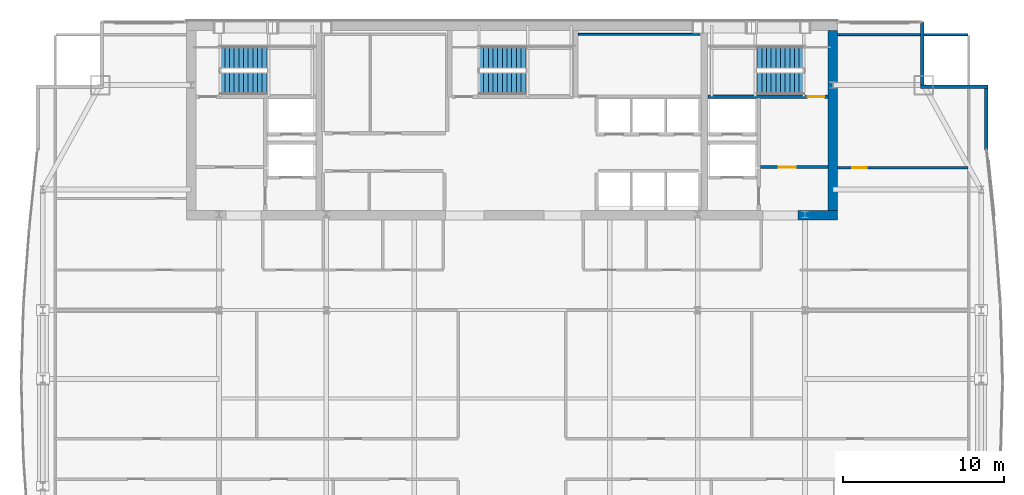
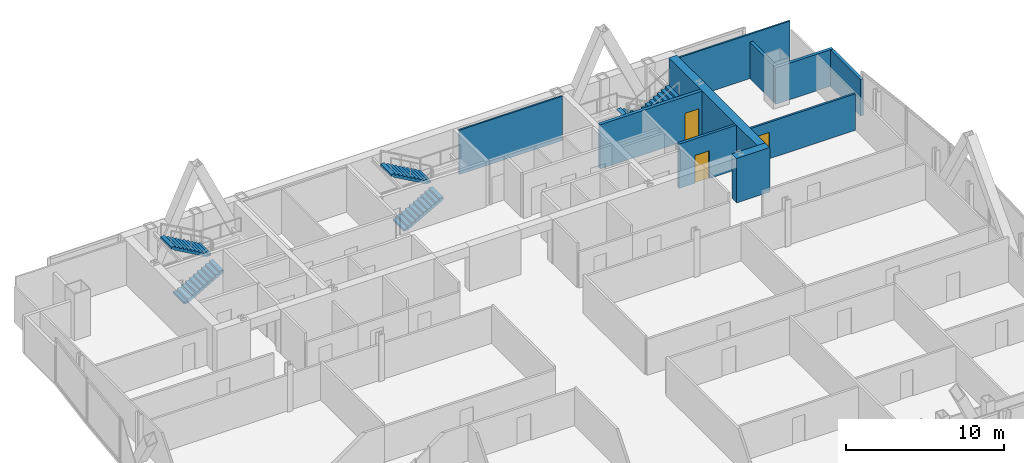
# One storey, part 30 of 32: 10 walls, 6 stair flights, 3 doors, 3 openings, 3 elements without a shape of their own.
"""IFC4 building model written with IfcOpenShell, lengths in metres."""

import ifcopenshell
import ifcopenshell.guid

model = None  # the IFC model being written
_history = None  # IfcOwnerHistory: only IFC2X3 demands one
_inside = {}  # id of a spatial element -> (the spatial element, [elements in it])
_under = {}  # id of a project, library or spatial element -> (it, [spatial elements below it])
_declared = {}  # id of a project -> (the project, [libraries it declares])
_typed = {}  # id of a type object -> (the type object, [elements of that type])
_made_of = {}  # id of a material, layer set ... -> (it, [elements and type objects made of it])


def new_model(schema):
    """Start an empty IFC model of exactly this schema.

    Asked for "IFC4X3", IfcOpenShell would pick the latest addendum, in which some entities
    have other attributes; the version numbers below select the first issue.
    IFC2X3 requires an IfcOwnerHistory on every rooted entity: one is made here for all.
    """
    global model, _history
    if schema == "IFC4X3":
        model = ifcopenshell.file(schema_version=(4, 3, 0, 0))
    else:
        model = ifcopenshell.file(schema=schema)
    _inside.clear()
    _under.clear()
    _declared.clear()
    _typed.clear()
    _made_of.clear()
    _history = None
    if model.schema == "IFC2X3":
        org = make("IfcOrganization", Name="unknown")
        user = make(
            "IfcPersonAndOrganization",
            ThePerson=make("IfcPerson", FamilyName="unknown"),
            TheOrganization=org,
        )
        app = make(
            "IfcApplication",
            ApplicationDeveloper=org,
            Version="unknown",
            ApplicationFullName="unknown",
            ApplicationIdentifier="unknown",
        )
        _history = make(
            "IfcOwnerHistory",
            OwningUser=user,
            OwningApplication=app,
            ChangeAction="ADDED",
            CreationDate=0,
        )
    return model


def make(cls, **values):
    """One entity of the class cls with the attributes given. An attribute that is None is left unset."""
    return model.create_entity(
        cls, **{name: value for name, value in values.items() if value is not None}
    )


def rooted(cls, **values):
    """An entity with a GlobalId (a new one), such as an element, a storey or a relation."""
    return make(cls, GlobalId=ifcopenshell.guid.new(), OwnerHistory=_history, **values)


def si_unit(unit_type, name, prefix=None):
    """IfcSIUnit, for example si_unit("LENGTHUNIT", "METRE", prefix="MILLI")."""
    return make("IfcSIUnit", UnitType=unit_type, Prefix=prefix, Name=name)


def assignment(units):
    """IfcUnitAssignment: the units of a project."""
    return None if units is None else make("IfcUnitAssignment", Units=units)


def point(xyz):
    """IfcCartesianPoint."""
    return None if xyz is None else make("IfcCartesianPoint", Coordinates=xyz)


def direction(xyz):
    """IfcDirection."""
    return None if xyz is None else make("IfcDirection", DirectionRatios=xyz)


def frame(location, z_axis=None, x_axis=None):
    """IfcAxis2Placement3D, a coordinate frame: its origin and axes. An axis left out is left unset."""
    return make(
        "IfcAxis2Placement3D",
        Location=point(location),
        Axis=direction(z_axis),
        RefDirection=direction(x_axis),
    )


def frame_2d(location, x_axis=None):
    """IfcAxis2Placement2D, a coordinate frame in the plane: its origin and x axis."""
    return make(
        "IfcAxis2Placement2D", Location=point(location), RefDirection=direction(x_axis)
    )


def origin():
    """The frame at (0, 0, 0) with its axes left unset."""
    return frame((0.0, 0.0, 0.0))


def place(relative_to, where):
    """IfcLocalPlacement: puts the frame where relative to a parent placement (None: the world)."""
    return make(
        "IfcLocalPlacement", PlacementRelTo=relative_to, RelativePlacement=where
    )


def context(
    kind, dimensions, precision=None, world=None, true_north=None, identifier=None
):
    """IfcGeometricRepresentationContext, for example the 3D "Model" context."""
    return make(
        "IfcGeometricRepresentationContext",
        ContextIdentifier=identifier,
        ContextType=kind,
        CoordinateSpaceDimension=dimensions,
        Precision=precision,
        WorldCoordinateSystem=world,
        TrueNorth=true_north,
    )


def subcontext(parent, identifier, kind, view, scale=None):
    """IfcGeometricRepresentationSubContext, for example "Body" below "Model"."""
    return make(
        "IfcGeometricRepresentationSubContext",
        ContextIdentifier=identifier,
        ContextType=kind,
        ParentContext=parent,
        TargetScale=scale,
        TargetView=view,
    )


def project(units=None, contexts=None):
    """IfcProject with its units and contexts."""
    return rooted(
        "IfcProject",
        Name="project",
        RepresentationContexts=contexts,
        UnitsInContext=assignment(units),
    )


def spatial(cls, under=None, at=None, **own):
    """A site, building, storey or space (cls), placed at a placement, below another one or the project."""
    s = rooted(cls, ObjectPlacement=at, **own)
    if under is not None:
        _under.setdefault(under.id(), (under, []))[1].append(s)
    return s


def polyline(points):
    """IfcPolyline through the points."""
    return make("IfcPolyline", Points=[point(p) for p in points])


def profile(cls, at=None, kind="AREA", **sizes):
    """A parametric profile (cls). Its sizes go by their IFC names, for example OverallWidth=200.0."""
    return make(cls, ProfileType=kind, Position=at, **sizes)


def rectangle(**sizes):
    """IfcRectangleProfileDef."""
    return profile("IfcRectangleProfileDef", **sizes)


def outline(outer, holes=None, kind="AREA"):
    """IfcArbitraryClosedProfileDef: a profile drawn as a closed curve; with holes, ...WithVoids."""
    if holes is None:
        return make("IfcArbitraryClosedProfileDef", ProfileType=kind, OuterCurve=outer)
    return make(
        "IfcArbitraryProfileDefWithVoids",
        ProfileType=kind,
        OuterCurve=outer,
        InnerCurves=holes,
    )


def extrude(swept, where, along, depth):
    """IfcExtrudedAreaSolid: the profile swept, set in the frame where, extruded along a direction by depth."""
    return make(
        "IfcExtrudedAreaSolid",
        SweptArea=swept,
        Position=where,
        ExtrudedDirection=direction(along),
        Depth=depth,
    )


def shape(context_of_items, identifier, shape_type, items):
    """IfcShapeRepresentation: the items that make up one representation, for example the "Body"."""
    return make(
        "IfcShapeRepresentation",
        ContextOfItems=context_of_items,
        RepresentationIdentifier=identifier,
        RepresentationType=shape_type,
        Items=items,
    )


def material(Name=None, Category=None):
    """IfcMaterial."""
    return make("IfcMaterial", Name=Name, Category=Category)


def layer(
    of_material, thickness, ventilated=None, Name=None, Category=None, Priority=None
):
    """IfcMaterialLayer: one layer of a wall or slab, of a material (None: an air gap)."""
    return make(
        "IfcMaterialLayer",
        Material=of_material,
        LayerThickness=thickness,
        IsVentilated=ventilated,
        Name=Name,
        Category=Category,
        Priority=Priority,
    )


def layer_set(layers, Name=None):
    """IfcMaterialLayerSet."""
    return make("IfcMaterialLayerSet", MaterialLayers=layers, LayerSetName=Name)


def made_of(thing, what):
    """Note that an element or type object is made of a material, layer set ...; save() writes the relation."""
    if what is not None:
        _made_of.setdefault(what.id(), (what, []))[1].append(thing)
    return thing


def type_object(cls, material=None, **own):
    """A type object (cls), such as IfcWallType, which elements share."""
    return made_of(rooted(cls, **own), material)


def element(
    cls,
    number,
    at=None,
    inside=None,
    cuts=None,
    type_object=None,
    material=None,
    context=None,
    identifier="Body",
    shape_type=None,
    held_by="IfcProductDefinitionShape",
    body=None,
    shapes=None,
    **own,
):
    """One element of the class cls, such as IfcWall. Its Tag is "e" and its number.

    at: its placement. inside: the storey or other place that contains it. cuts: it is an
    opening in that element (IfcRelVoidsElement). A single representation is given by context,
    identifier, shape_type and body (its items); several are given by shapes. held_by: the class
    of the entity that holds the representations. save() writes the other relations.
    """
    e = rooted(cls, Tag="e%d" % number, ObjectPlacement=at, **own)
    if body is not None:
        shapes = [shape(context, identifier, shape_type, body)]
    if shapes is not None:
        e.Representation = make(held_by, Representations=shapes)
    if inside is not None:
        _inside.setdefault(inside.id(), (inside, []))[1].append(e)
    if cuts is not None:
        rooted(
            "IfcRelVoidsElement", RelatingBuildingElement=cuts, RelatedOpeningElement=e
        )
    if type_object is not None:
        _typed.setdefault(type_object.id(), (type_object, []))[1].append(e)
    return made_of(e, material)


def fill(opening, filler):
    """IfcRelFillsElement: the door or window that sits in an opening."""
    return rooted(
        "IfcRelFillsElement",
        RelatingOpeningElement=opening,
        RelatedBuildingElement=filler,
    )


def aggregate(whole, parts):
    """IfcRelAggregates: a whole, such as a stair, and the parts it consists of."""
    return rooted("IfcRelAggregates", RelatingObject=whole, RelatedObjects=parts)


def save(model, path):
    """Write the relations noted so far, then the file.

    IfcRelAggregates (storeys below a building ...), IfcRelContainedInSpatialStructure (elements
    in a storey), IfcRelDefinesByType, IfcRelAssociatesMaterial and IfcRelDeclares: one each for
    every whole, place, type object, material and project.
    """
    for whole, parts in _under.values():
        aggregate(whole, parts)
    for where, things in _inside.values():
        rooted(
            "IfcRelContainedInSpatialStructure",
            RelatedElements=things,
            RelatingStructure=where,
        )
    for kind, things in _typed.values():
        rooted("IfcRelDefinesByType", RelatedObjects=things, RelatingType=kind)
    for what, things in _made_of.values():
        rooted("IfcRelAssociatesMaterial", RelatedObjects=things, RelatingMaterial=what)
    for by, libraries in _declared.values():
        rooted("IfcRelDeclares", RelatingContext=by, RelatedDefinitions=libraries)
    model.write(path)


model = new_model("IFC4")

# Units and contexts
model_context = context("Model", 3, precision=1e-05, world=origin(), true_north=direction((0.0, 1.0)))
body_context = subcontext(model_context, "Body", "Model", "MODEL_VIEW")
ifc_project = project(units=[si_unit("LENGTHUNIT", "METRE"), si_unit("AREAUNIT", "SQUARE_METRE"), si_unit("VOLUMEUNIT", "CUBIC_METRE"), si_unit("PLANEANGLEUNIT", "RADIAN"), si_unit("MASSUNIT", "GRAM", prefix="KILO")], contexts=[model_context])

# Site, building, storey
site_placement = place(None, origin())
site = spatial("IfcSite", under=ifc_project, at=site_placement, CompositionType="ELEMENT")
building_placement = place(site_placement, origin())
building = spatial("IfcBuilding", under=site, at=building_placement, Name="Khoronbel Lancet Exchange", CompositionType="ELEMENT")
storey_placement = place(building_placement, frame((0.0, 0.0, 231.800048828125)))
storey = spatial("IfcBuildingStorey", under=building, at=storey_placement, Name="L59", CompositionType="ELEMENT", Elevation=231.800048828125)

# Walls
ifc_material_1 = material(Name="Concrete C60/75", Category="concrete")
ifc_layer_1 = layer(ifc_material_1, 0.60009765625, Name="Concrete C60/75")
ifc_layer_set_1 = layer_set([ifc_layer_1], Name="Concrete C60/75")
wall_type_1 = type_object("IfcWallType", Name="WL-CW3", PredefinedType="SHEAR", material=ifc_layer_set_1)
wall_1_placement = place(storey_placement, frame((56.39990234375, 53.10009765625, 0.0), z_axis=(0.0, 0.0, 1.0), x_axis=(0.0, -1.0, 0.0)))
element("IfcWall", 1, at=wall_1_placement, inside=storey, type_object=wall_type_1, Name="Level L59 rear core east shear wall", PredefinedType="SHEAR", context=body_context, shape_type="SweptSolid", body=[
    extrude(rectangle(XDim=11.2001953125, YDim=0.60009765625, at=frame_2d((5.60009765625, 0.0))), origin(), (0.0, 0.0, 1.0), 3.43994140625),
])
wall_2_placement = place(storey_placement, frame((56.699951171875, 41.60009765625, 0.0), z_axis=(0.0, 0.0, 1.0), x_axis=(-1.0, 0.0, 0.0)))
element("IfcWall", 2, at=wall_2_placement, inside=storey, type_object=wall_type_1, Name="Level L59 rear core south shear wall pier P5", PredefinedType="SHEAR", context=body_context, shape_type="SweptSolid", body=[
    extrude(rectangle(XDim=2.449951171875, YDim=0.60009765625, at=frame_2d((1.22509765625, 0.0))), origin(), (0.0, 0.0, 1.0), 3.43994140625),
])
ifc_material_2 = material(Name="Precast concrete C40/50", Category="concrete")
ifc_layer_2 = layer(ifc_material_2, 0.25, Name="Precast concrete C40/50")
ifc_layer_set_2 = layer_set([ifc_layer_2], Name="Precast concrete C40/50")
wall_type_2 = type_object("IfcWallType", Name="WL-EXT250", PredefinedType="SOLIDWALL", material=ifc_layer_set_2)
wall_3_placement = place(storey_placement, frame((61.9599609375, 53.6298828125, 0.0), z_axis=(0.0, 0.0, 1.0), x_axis=(0.0, -1.0, 0.0)))
element("IfcWall", 3, at=wall_3_placement, inside=storey, type_object=wall_type_2, Name="Level L59 notched-corner limestone pier 14", PredefinedType="SOLIDWALL", context=body_context, shape_type="SweptSolid", body=[
    extrude(rectangle(XDim=3.909912109375, YDim=0.219970703125, at=frame_2d((1.955078125, 0.0))), origin(), (0.0, 0.0, 1.0), 2.829833984375),
])
wall_4_placement = place(storey_placement, frame((61.85009765625, 49.610107421875, 0.0), z_axis=(0.0, 0.0, 1.0), x_axis=(1.0, 0.0, 0.0)))
element("IfcWall", 4, at=wall_4_placement, inside=storey, type_object=wall_type_2, Name="Level L59 notched-corner limestone pier 15", PredefinedType="SOLIDWALL", context=body_context, shape_type="SweptSolid", body=[
    extrude(rectangle(XDim=4.219970703125, YDim=0.219970703125, at=frame_2d((2.10986328125, 0.0))), origin(), (0.0, 0.0, 1.0), 2.829833984375),
])
wall_5_placement = place(storey_placement, frame((65.9599609375, 49.5, 0.0), z_axis=(0.0, 0.0, 1.0), x_axis=(0.0, -1.0, 0.0)))
element("IfcWall", 5, at=wall_5_placement, inside=storey, type_object=wall_type_2, Name="Level L59 notched-corner limestone pier 16", PredefinedType="SOLIDWALL", context=body_context, shape_type="SweptSolid", body=[
    extrude(rectangle(XDim=3.82470703125, YDim=0.219970703125, at=frame_2d((1.912353515625, 0.0))), origin(), (0.0, 0.0, 1.0), 2.829833984375),
])

# Wall, opening, door
ifc_material_3 = material(Name="Acoustic Metal-Stud & Mineral-Wool Gypsum Partition 120 mm", Category="gypsum")
ifc_layer_3 = layer(ifc_material_3, 0.1201171875, Name="Acoustic Metal-Stud & Mineral-Wool Gypsum Partition 120 mm")
ifc_layer_set_3 = layer_set([ifc_layer_3], Name="Acoustic Metal-Stud & Mineral-Wool Gypsum Partition 120 mm")
wall_type_3 = type_object("IfcWallType", Name="WL-PRT120", PredefinedType="PARTITIONING", material=ifc_layer_set_3)
wall_6_placement = place(storey_placement, frame((56.699951171875, 44.56005859375, 0.0), z_axis=(0.0, 0.0, 1.0), x_axis=(1.0, 0.0, 0.0)))
wall_6 = element("IfcWall", 6, at=wall_6_placement, inside=storey, type_object=wall_type_3, Name="Level L59 interior partition PW-NE-H", PredefinedType="PARTITIONING", context=body_context, shape_type="SweptSolid", body=[
    extrude(rectangle(XDim=8.10498046875, YDim=0.14990234375, at=frame_2d((4.052490234375, 0.0))), origin(), (0.0, 0.0, 1.0), 2.829833984375),
])
opening_1_placement = place(wall_6_placement, frame((0.89990234375, 0.0, 0.0)))
opening_1 = element("IfcOpeningElement", 7, at=opening_1_placement, cuts=wall_6, Name="Opening D5", PredefinedType="OPENING", context=body_context, shape_type="SweptSolid", body=[
    extrude(rectangle(XDim=0.89990234375, YDim=2.050048828125, at=frame_2d((0.449951171875, 1.02490234375))), frame((0.0, 0.0849609375, 0.0), z_axis=(0.0, -1.0, 0.0), x_axis=(1.0, 0.0, 0.0)), (0.0, 0.0, 1.0), 0.169921875),
])
ifc_material_4 = material(Name="Acoustic Timber Pantry & Support Door", Category="wood")
door_type_1 = type_object("IfcDoorType", Name="DR-D5", OperationType="NOTDEFINED", PredefinedType="DOOR", material=ifc_material_4)
door_1_placement = place(opening_1_placement, origin())
door_1 = element("IfcDoor", 8, at=door_1_placement, inside=storey, type_object=door_type_1, Name="NE north room door L59-1", OperationType="SINGLE_SWING_LEFT", OverallHeight=2.050048828125, OverallWidth=0.89990234375, PredefinedType="DOOR", context=body_context, shape_type="SweptSolid", body=[
    extrude(rectangle(XDim=0.89990234375, YDim=2.050048828125, at=frame_2d((0.449951171875, 1.02490234375))), frame((0.0, 0.02490234375, 0.0), z_axis=(0.0, -1.0, 0.0), x_axis=(1.0, 0.0, 0.0)), (0.0, 0.0, 1.0), 0.050048828125),
])
fill(opening_1, door_1)

# Walls
wall_7_placement = place(storey_placement, frame((56.699951171875, 52.840087890625, 0.0), z_axis=(0.0, 0.0, 1.0), x_axis=(1.0, 0.0, 0.0)))
element("IfcWall", 9, at=wall_7_placement, inside=storey, type_object=wall_type_3, Name="Level L59 interior partition PW-LIN-NE", PredefinedType="PARTITIONING", context=body_context, shape_type="SweptSolid", body=[
    extrude(rectangle(XDim=8.10498046875, YDim=0.1201171875, at=frame_2d((4.052490234375, 0.0))), origin(), (0.0, 0.0, 1.0), 3.43994140625),
])
ifc_material_5 = material(Name="Fire-Rated Metal-Stud & Mineral-Wool Gypsum Partition 120 mm", Category="gypsum")
ifc_layer_4 = layer(ifc_material_5, 0.1201171875, Name="Fire-Rated Metal-Stud & Mineral-Wool Gypsum Partition 120 mm")
ifc_layer_set_4 = layer_set([ifc_layer_4], Name="Fire-Rated Metal-Stud & Mineral-Wool Gypsum Partition 120 mm")
wall_type_4 = type_object("IfcWallType", Name="WL-PRT120F", PredefinedType="PARTITIONING", material=ifc_layer_set_4)
wall_8_placement = place(storey_placement, frame((40.580078125, 52.860107421875, 0.0), z_axis=(0.0, 0.0, 1.0), x_axis=(1.0, 0.0, 0.0)))
element("IfcWall", 10, at=wall_8_placement, inside=storey, type_object=wall_type_4, Name="Level L59 interior partition CW-SUP-NE-N", PredefinedType="PARTITIONING", context=body_context, shape_type="SweptSolid", body=[
    extrude(rectangle(XDim=7.559814453125, YDim=0.1201171875, at=frame_2d((3.77978515625, 0.0))), origin(), (0.0, 0.0, 1.0), 3.43994140625),
])

# Wall, opening, door
ifc_material_6 = material(Name="Autoclaved Aerated Concrete Blockwork 200 mm", Category="masonry")
ifc_layer_5 = layer(ifc_material_6, 0.199951171875, Name="Autoclaved Aerated Concrete Blockwork 200 mm")
ifc_layer_set_5 = layer_set([ifc_layer_5], Name="Autoclaved Aerated Concrete Blockwork 200 mm")
wall_type_5 = type_object("IfcWallType", Name="WL-PRT200", PredefinedType="PARTITIONING", material=ifc_layer_set_5)
wall_9_placement = place(storey_placement, frame((51.89990234375, 44.60009765625, 0.0), z_axis=(0.0, 0.0, 1.0), x_axis=(1.0, 0.0, 0.0)))
wall_9 = element("IfcWall", 11, at=wall_9_placement, inside=storey, type_object=wall_type_5, Name="Level L59 interior partition CW-FFLE-S", PredefinedType="PARTITIONING", context=body_context, shape_type="SweptSolid", body=[
    extrude(rectangle(XDim=4.2001953125, YDim=0.199951171875, at=frame_2d((2.10009765625, 0.0))), origin(), (0.0, 0.0, 1.0), 3.43994140625),
])
opening_2_placement = place(wall_9_placement, frame((1.14990234375, 0.0, 0.0)))
opening_2 = element("IfcOpeningElement", 12, at=opening_2_placement, cuts=wall_9, Name="Opening FD1", PredefinedType="OPENING", context=body_context, shape_type="SweptSolid", body=[
    extrude(rectangle(XDim=1.050048828125, YDim=2.14990234375, at=frame_2d((0.52490234375, 1.074951171875))), frame((0.0, 0.10986328125, 0.0), z_axis=(0.0, -1.0, 0.0), x_axis=(1.0, 0.0, 0.0)), (0.0, 0.0, 1.0), 0.219970703125),
])
ifc_material_7 = material(Name="Fire-Rated Painted Steel Door Assembly", Category="steel")
door_type_2 = type_object("IfcDoorType", Name="DR-FD1", OperationType="NOTDEFINED", PredefinedType="DOOR", material=ifc_material_7)
door_2_placement = place(opening_2_placement, origin())
door_2 = element("IfcDoor", 13, at=door_2_placement, inside=storey, type_object=door_type_2, Name="East firefighting lobby FD90S door L59-1", OperationType="SINGLE_SWING_RIGHT", OverallHeight=2.14990234375, OverallWidth=1.050048828125, PredefinedType="DOOR", context=body_context, shape_type="SweptSolid", body=[
    extrude(rectangle(XDim=1.050048828125, YDim=2.14990234375, at=frame_2d((0.52490234375, 1.074951171875))), frame((0.0, 0.02490234375, 0.0), z_axis=(0.0, -1.0, 0.0), x_axis=(1.0, 0.0, 0.0)), (0.0, 0.0, 1.0), 0.050048828125),
])
fill(opening_2, door_2)

ifc_layer_6 = layer(ifc_material_1, 0.260009765625, Name="Concrete C60/75")
ifc_layer_set_6 = layer_set([ifc_layer_6], Name="Concrete C60/75")
wall_type_6 = type_object("IfcWallType", Name="WL-SW3", PredefinedType="SHEAR", material=ifc_layer_set_6)
wall_10_placement = place(storey_placement, frame((48.6298828125, 48.97998046875, 0.0), z_axis=(0.0, 0.0, 1.0), x_axis=(1.0, 0.0, 0.0)))
wall_10 = element("IfcWall", 14, at=wall_10_placement, inside=storey, type_object=wall_type_6, Name="Level L59 east stairwell structural south wall", PredefinedType="SHEAR", context=body_context, shape_type="SweptSolid", body=[
    extrude(rectangle(XDim=7.47021484375, YDim=0.239990234375, at=frame_2d((3.735107421875, 0.0))), origin(), (0.0, 0.0, 1.0), 3.43994140625),
])
opening_3_placement = place(wall_10_placement, frame((6.199951171875, 0.0, 0.0)))
opening_3 = element("IfcOpeningElement", 15, at=opening_3_placement, cuts=wall_10, Name="Opening SD1", PredefinedType="OPENING", context=body_context, shape_type="SweptSolid", body=[
    extrude(rectangle(XDim=1.050048828125, YDim=2.14990234375, at=frame_2d((0.52490234375, 1.074951171875))), frame((0.0, 0.1298828125, 0.0), z_axis=(0.0, -1.0, 0.0), x_axis=(1.0, 0.0, 0.0)), (0.0, 0.0, 1.0), 0.260009765625),
])
ifc_material_8 = material(Name="Fire-Rated Steel Stairwell Door Assembly", Category="steel")
door_type_3 = type_object("IfcDoorType", Name="DR-SD1", OperationType="NOTDEFINED", PredefinedType="DOOR", material=ifc_material_8)
door_3_placement = place(opening_3_placement, origin())
door_3 = element("IfcDoor", 16, at=door_3_placement, inside=storey, type_object=door_type_3, Name="Protected exit stair ST2 door L59", OperationType="SINGLE_SWING_RIGHT", OverallHeight=2.14990234375, OverallWidth=1.050048828125, PredefinedType="DOOR", context=body_context, shape_type="SweptSolid", body=[
    extrude(rectangle(XDim=1.050048828125, YDim=2.14990234375, at=frame_2d((0.52490234375, 1.074951171875))), frame((0.0, 0.02490234375, 0.0), z_axis=(0.0, -1.0, 0.0), x_axis=(1.0, 0.0, 0.0)), (0.0, 0.0, 1.0), 0.050048828125),
])
fill(opening_3, door_3)

# Stair, stair flights
ifc_material_9 = material(Name="Concrete C40/50", Category="concrete")
stair_type = type_object("IfcStairType", Name="STR-CORE150", PredefinedType="HALF_TURN_STAIR", material=ifc_material_9)
stair_1_placement = place(storey_placement, origin())
stair_1 = element("IfcStair", 17, at=stair_1_placement, inside=storey, type_object=stair_type, Name="L59 Protected Exit Stair ST1", PredefinedType="HALF_TURN_STAIR")
stair_flight_type = type_object("IfcStairFlightType", Name="STF-150", PredefinedType="STRAIGHT", material=ifc_material_9)
stair_flight_1_placement = place(storey_placement, frame((18.300048828125, 49.81005859375, 0.0), z_axis=(0.0, 0.0, 1.0), x_axis=(1.0, 0.0, 0.0)))
stair_flight_1 = element("IfcStairFlight", 18, at=stair_flight_1_placement, type_object=stair_flight_type, Name="ST1 flight 1", NumberOfRisers=11, NumberOfTreads=10, PredefinedType="STRAIGHT", RiserHeight=0.163636364, TreadLength=0.29, context=body_context, shape_type="SweptSolid", body=[
    extrude(outline(polyline([(0.0, 0.0), (0.0, 0.16357421875), (0.2900390625, 0.16357421875), (0.2900390625, 0.327392578125), (0.580078125, 0.327392578125), (0.580078125, 0.490966796875), (0.8701171875, 0.490966796875), (0.8701171875, 0.654541015625), (1.159912109375, 0.654541015625), (1.159912109375, 0.818115234375), (1.449951171875, 0.818115234375), (1.449951171875, 0.98193359375), (1.739990234375, 0.98193359375), (1.739990234375, 1.1455078125), (2.030029296875, 1.1455078125), (2.030029296875, 1.30908203125), (2.320068359375, 1.30908203125), (2.320068359375, 1.47265625), (2.610107421875, 1.47265625), (2.610107421875, 1.636474609375), (2.89990234375, 1.636474609375), (2.89990234375, 1.800048828125), (2.89990234375, 1.46435546875), (0.304931640625, 0.0), (0.0, 0.0)])), frame((0.0, 0.68994140625, 0.0), z_axis=(0.0, -1.0, 0.0), x_axis=(1.0, 0.0, 0.0)), (0.0, 0.0, 1.0), 1.3798828125),
])
stair_flight_2_placement = place(storey_placement, frame((21.199951171875, 51.409912109375, 1.800048828125), z_axis=(0.0, 0.0, 1.0), x_axis=(-1.0, 0.0, 0.0)))
stair_flight_2 = element("IfcStairFlight", 19, at=stair_flight_2_placement, type_object=stair_flight_type, Name="ST1 flight 2", NumberOfRisers=11, NumberOfTreads=10, PredefinedType="STRAIGHT", RiserHeight=0.163636364, TreadLength=0.29, context=body_context, shape_type="SweptSolid", body=[
    extrude(outline(polyline([(0.0, 0.0), (0.0, 0.16357421875), (0.2900390625, 0.16357421875), (0.2900390625, 0.327392578125), (0.580078125, 0.327392578125), (0.580078125, 0.490966796875), (0.8701171875, 0.490966796875), (0.8701171875, 0.654541015625), (1.159912109375, 0.654541015625), (1.159912109375, 0.818115234375), (1.449951171875, 0.818115234375), (1.449951171875, 0.98193359375), (1.739990234375, 0.98193359375), (1.739990234375, 1.1455078125), (2.030029296875, 1.1455078125), (2.030029296875, 1.30908203125), (2.320068359375, 1.30908203125), (2.320068359375, 1.47265625), (2.610107421875, 1.47265625), (2.610107421875, 1.636474609375), (2.89990234375, 1.636474609375), (2.89990234375, 1.800048828125), (2.89990234375, 1.46435546875), (0.304931640625, 0.0), (0.0, 0.0)])), frame((0.0, 0.68994140625, 0.0), z_axis=(0.0, -1.0, 0.0), x_axis=(1.0, 0.0, 0.0)), (0.0, 0.0, 1.0), 1.3798828125),
])
aggregate(stair_1, [stair_flight_1, stair_flight_2])

stair_2_placement = place(storey_placement, origin())
stair_2 = element("IfcStair", 20, at=stair_2_placement, inside=storey, type_object=stair_type, Name="L59 Protected Exit Stair ST2", PredefinedType="HALF_TURN_STAIR")
stair_flight_3_placement = place(storey_placement, frame((54.60009765625, 51.409912109375, 0.0), z_axis=(0.0, 0.0, 1.0), x_axis=(-1.0, 0.0, 0.0)))
stair_flight_3 = element("IfcStairFlight", 21, at=stair_flight_3_placement, type_object=stair_flight_type, Name="ST2 flight 1", NumberOfRisers=11, NumberOfTreads=10, PredefinedType="STRAIGHT", RiserHeight=0.163636364, TreadLength=0.29, context=body_context, shape_type="SweptSolid", body=[
    extrude(outline(polyline([(0.0, 0.0), (0.0, 0.16357421875), (0.2900390625, 0.16357421875), (0.2900390625, 0.327392578125), (0.580078125, 0.327392578125), (0.580078125, 0.490966796875), (0.8701171875, 0.490966796875), (0.8701171875, 0.654541015625), (1.159912109375, 0.654541015625), (1.159912109375, 0.818115234375), (1.449951171875, 0.818115234375), (1.449951171875, 0.98193359375), (1.739990234375, 0.98193359375), (1.739990234375, 1.1455078125), (2.030029296875, 1.1455078125), (2.030029296875, 1.30908203125), (2.320068359375, 1.30908203125), (2.320068359375, 1.47265625), (2.610107421875, 1.47265625), (2.610107421875, 1.636474609375), (2.89990234375, 1.636474609375), (2.89990234375, 1.800048828125), (2.89990234375, 1.46435546875), (0.304931640625, 0.0), (0.0, 0.0)])), frame((0.0, 0.68994140625, 0.0), z_axis=(0.0, -1.0, 0.0), x_axis=(1.0, 0.0, 0.0)), (0.0, 0.0, 1.0), 1.3798828125),
])
stair_flight_4_placement = place(storey_placement, frame((51.699951171875, 49.81005859375, 1.800048828125), z_axis=(0.0, 0.0, 1.0), x_axis=(1.0, 0.0, 0.0)))
stair_flight_4 = element("IfcStairFlight", 22, at=stair_flight_4_placement, type_object=stair_flight_type, Name="ST2 flight 2", NumberOfRisers=11, NumberOfTreads=10, PredefinedType="STRAIGHT", RiserHeight=0.163636364, TreadLength=0.29, context=body_context, shape_type="SweptSolid", body=[
    extrude(outline(polyline([(0.0, 0.0), (0.0, 0.16357421875), (0.2900390625, 0.16357421875), (0.2900390625, 0.327392578125), (0.580078125, 0.327392578125), (0.580078125, 0.490966796875), (0.8701171875, 0.490966796875), (0.8701171875, 0.654541015625), (1.159912109375, 0.654541015625), (1.159912109375, 0.818115234375), (1.449951171875, 0.818115234375), (1.449951171875, 0.98193359375), (1.739990234375, 0.98193359375), (1.739990234375, 1.1455078125), (2.030029296875, 1.1455078125), (2.030029296875, 1.30908203125), (2.320068359375, 1.30908203125), (2.320068359375, 1.47265625), (2.610107421875, 1.47265625), (2.610107421875, 1.636474609375), (2.89990234375, 1.636474609375), (2.89990234375, 1.800048828125), (2.89990234375, 1.46435546875), (0.304931640625, 0.0), (0.0, 0.0)])), frame((0.0, 0.68994140625, 0.0), z_axis=(0.0, -1.0, 0.0), x_axis=(1.0, 0.0, 0.0)), (0.0, 0.0, 1.0), 1.3798828125),
])
aggregate(stair_2, [stair_flight_3, stair_flight_4])

stair_3_placement = place(storey_placement, origin())
stair_3 = element("IfcStair", 23, at=stair_3_placement, inside=storey, type_object=stair_type, Name="L59 Protected Exit Stair ST3", PredefinedType="HALF_TURN_STAIR")
stair_flight_5_placement = place(storey_placement, frame((34.39990234375, 49.81005859375, 0.0), z_axis=(0.0, 0.0, 1.0), x_axis=(1.0, 0.0, 0.0)))
stair_flight_5 = element("IfcStairFlight", 24, at=stair_flight_5_placement, type_object=stair_flight_type, Name="ST3 flight 1", NumberOfRisers=11, NumberOfTreads=10, PredefinedType="STRAIGHT", RiserHeight=0.163636364, TreadLength=0.29, context=body_context, shape_type="SweptSolid", body=[
    extrude(outline(polyline([(0.0, 0.0), (0.0, 0.16357421875), (0.2900390625, 0.16357421875), (0.2900390625, 0.327392578125), (0.580078125, 0.327392578125), (0.580078125, 0.490966796875), (0.8701171875, 0.490966796875), (0.8701171875, 0.654541015625), (1.159912109375, 0.654541015625), (1.159912109375, 0.818115234375), (1.449951171875, 0.818115234375), (1.449951171875, 0.98193359375), (1.739990234375, 0.98193359375), (1.739990234375, 1.1455078125), (2.030029296875, 1.1455078125), (2.030029296875, 1.30908203125), (2.320068359375, 1.30908203125), (2.320068359375, 1.47265625), (2.610107421875, 1.47265625), (2.610107421875, 1.636474609375), (2.89990234375, 1.636474609375), (2.89990234375, 1.800048828125), (2.89990234375, 1.46435546875), (0.304931640625, 0.0), (0.0, 0.0)])), frame((0.0, 0.68994140625, 0.0), z_axis=(0.0, -1.0, 0.0), x_axis=(1.0, 0.0, 0.0)), (0.0, 0.0, 1.0), 1.3798828125),
])
stair_flight_6_placement = place(storey_placement, frame((37.300048828125, 51.409912109375, 1.800048828125), z_axis=(0.0, 0.0, 1.0), x_axis=(-1.0, 0.0, 0.0)))
stair_flight_6 = element("IfcStairFlight", 25, at=stair_flight_6_placement, type_object=stair_flight_type, Name="ST3 flight 2", NumberOfRisers=11, NumberOfTreads=10, PredefinedType="STRAIGHT", RiserHeight=0.163636364, TreadLength=0.29, context=body_context, shape_type="SweptSolid", body=[
    extrude(outline(polyline([(0.0, 0.0), (0.0, 0.16357421875), (0.2900390625, 0.16357421875), (0.2900390625, 0.327392578125), (0.580078125, 0.327392578125), (0.580078125, 0.490966796875), (0.8701171875, 0.490966796875), (0.8701171875, 0.654541015625), (1.159912109375, 0.654541015625), (1.159912109375, 0.818115234375), (1.449951171875, 0.818115234375), (1.449951171875, 0.98193359375), (1.739990234375, 0.98193359375), (1.739990234375, 1.1455078125), (2.030029296875, 1.1455078125), (2.030029296875, 1.30908203125), (2.320068359375, 1.30908203125), (2.320068359375, 1.47265625), (2.610107421875, 1.47265625), (2.610107421875, 1.636474609375), (2.89990234375, 1.636474609375), (2.89990234375, 1.800048828125), (2.89990234375, 1.46435546875), (0.304931640625, 0.0), (0.0, 0.0)])), frame((0.0, 0.68994140625, 0.0), z_axis=(0.0, -1.0, 0.0), x_axis=(1.0, 0.0, 0.0)), (0.0, 0.0, 1.0), 1.3798828125),
])
aggregate(stair_3, [stair_flight_5, stair_flight_6])

save(model, "model.ifc")
